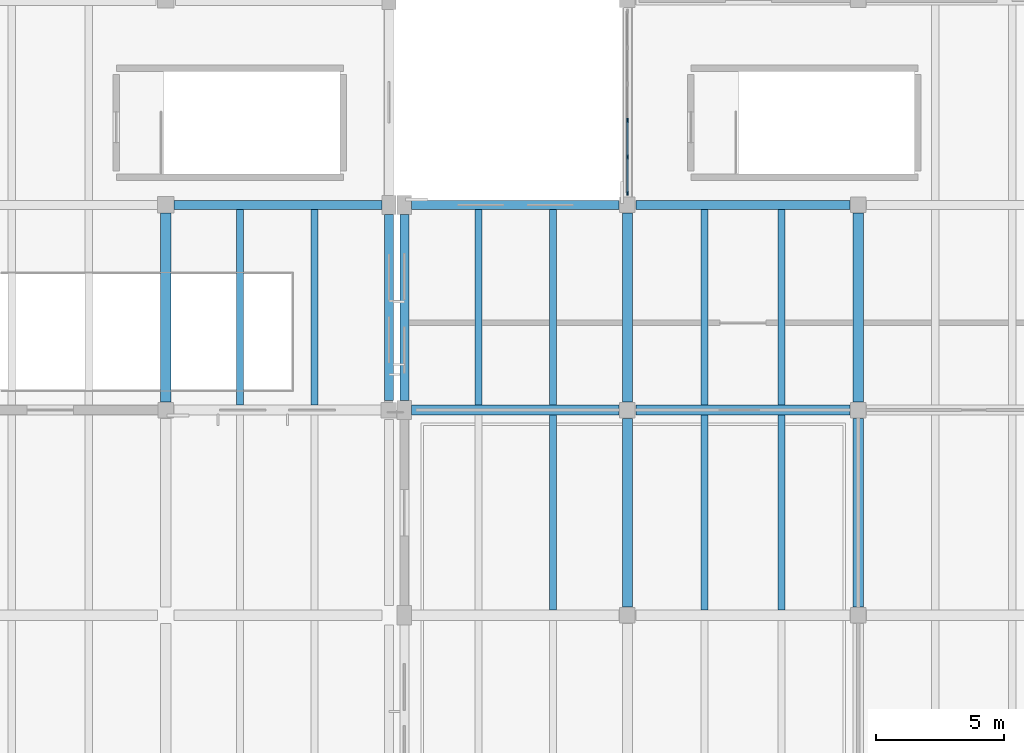
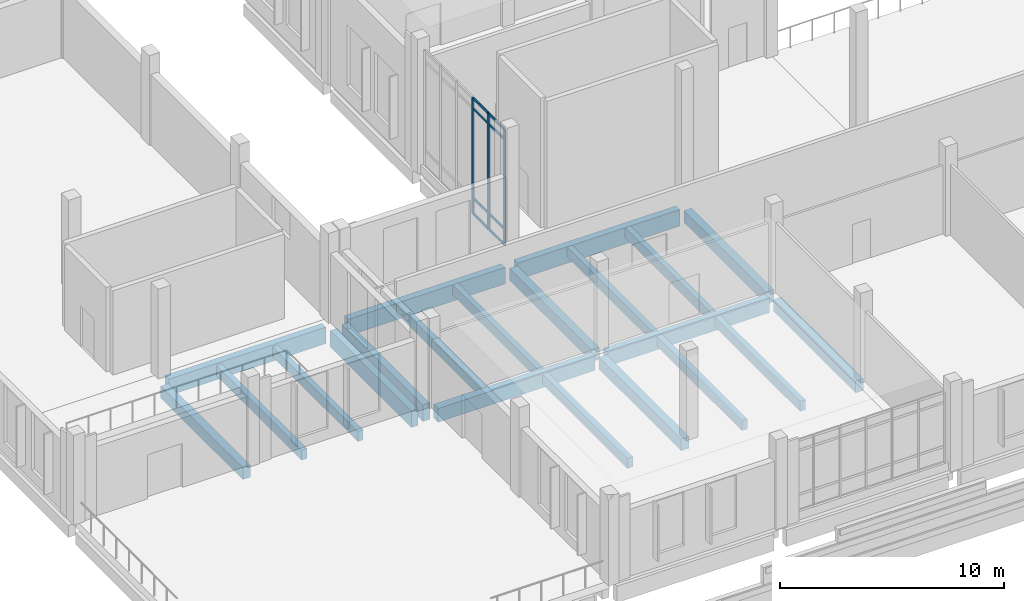
# One storey, part 14 of 110: 21 beams, 11 members, 1 element without a shape of its own.
"""IFC4 building model written with IfcOpenShell, lengths in metres."""

from ifc_helpers import new_model, si_unit, direction, frame, origin, origin_2d, place, context, subcontext, project, spatial, rectangle, extrude, material, layer, layer_set, material_profile, profile_set, type_object, element, aggregate, save


model = new_model("IFC4")

# Units and contexts
model_context = context("Model", 3, precision=1e-05, world=origin(), true_north=direction((0.0, 1.0)))
body_context = subcontext(model_context, "Body", "Model", "MODEL_VIEW")
ifc_project = project(units=[si_unit("LENGTHUNIT", "METRE"), si_unit("AREAUNIT", "SQUARE_METRE"), si_unit("VOLUMEUNIT", "CUBIC_METRE"), si_unit("PLANEANGLEUNIT", "RADIAN"), si_unit("MASSUNIT", "GRAM", prefix="KILO")], contexts=[model_context])

# Site, building, storey
site_placement = place(None, origin())
site = spatial("IfcSite", under=ifc_project, at=site_placement, CompositionType="ELEMENT")
building_placement = place(site_placement, origin())
building = spatial("IfcBuilding", under=site, at=building_placement, Name="Zacnel Wholesale Market", CompositionType="ELEMENT")
storey_placement = place(building_placement, frame((0.0, 0.0, 6.300048828125)))
storey = spatial("IfcBuildingStorey", under=building, at=storey_placement, Name="L02", CompositionType="ELEMENT", Elevation=6.300048828125)

# Beams
ifc_material_1 = material(Name="Precast concrete C45/55", Category="concrete")
ifc_material_profile_1 = material_profile(ifc_material_1, rectangle(XDim=0.280029296875, YDim=0.550048828125, at=origin_2d()), Name="DT RIB 280x550")
ifc_profile_set_1 = profile_set([ifc_material_profile_1], Name="Precast concrete C45/55")
beam_type_1 = type_object("IfcBeamType", Name="BM-DT550", PredefinedType="JOIST", material=ifc_profile_set_1)
for number, where, z_axis, x_axis, name in (
    (1, (78.10009765625, 8.199951171875, -0.574951171875), (0.0, 1.0, 0.0), (-1.0, 0.0, 0.0), "Precast secondary joist L02-0028"),
    (2, (84.0, 8.199951171875, -0.574951171875), (0.0, 1.0, 0.0), (-1.0, 0.0, 0.0), "Precast terrace joist L04-84.0"),
    (3, (87.0, 8.199951171875, -0.574951171875), (0.0, 1.0, 0.0), (-1.0, 0.0, 0.0), "Precast terrace joist L04-87.0"),
):
    element("IfcBeam", number, at=place(storey_placement, frame(where, z_axis=z_axis, x_axis=x_axis)), inside=storey, type_object=beam_type_1, Name=name, PredefinedType="JOIST", context=body_context, shape_type="SweptSolid", body=[
        extrude(rectangle(XDim=0.280029296875, YDim=0.550048828125, at=origin_2d()), origin(), (0.0, 0.0, 1.0), 7.60009765625),
    ])
for number, where, z_axis, x_axis, name in (
    (4, (65.89990234375, 16.199951171875, -0.695068359375), (0.0, 1.0, 0.0), (-1.0, 0.0, 0.0), "Precast secondary joist L02-0055"),
    (5, (68.800048828125, 16.199951171875, -0.695068359375), (0.0, 1.0, 0.0), (-1.0, 0.0, 0.0), "Precast secondary joist L02-0056"),
    (6, (75.199951171875, 16.199951171875, -0.574951171875), (0.0, 1.0, 0.0), (-1.0, 0.0, 0.0), "Precast secondary joist L02-0057"),
    (7, (78.10009765625, 16.199951171875, -0.574951171875), (0.0, 1.0, 0.0), (-1.0, 0.0, 0.0), "Precast secondary joist L02-0058"),
    (8, (84.0, 16.199951171875, -0.574951171875), (0.0, 1.0, 0.0), (-1.0, 0.0, 0.0), "Precast secondary joist L02-0059"),
    (9, (87.0, 16.199951171875, -0.574951171875), (0.0, 1.0, 0.0), (-1.0, 0.0, 0.0), "Precast secondary joist L02-0060"),
):
    element("IfcBeam", number, at=place(storey_placement, frame(where, z_axis=z_axis, x_axis=x_axis)), inside=storey, type_object=beam_type_1, Name=name, PredefinedType="JOIST", context=body_context, shape_type="SweptSolid", body=[
        extrude(rectangle(XDim=0.280029296875, YDim=0.550048828125, at=origin_2d()), origin(), (0.0, 0.0, 1.0), 7.625),
    ])
ifc_material_2 = material(Name="Precast concrete C45/55", Category="concrete")
ifc_material_profile_2 = material_profile(ifc_material_2, rectangle(XDim=0.39990234375, YDim=0.64990234375, at=origin_2d()), Name="PG 400x650")
ifc_profile_set_2 = profile_set([ifc_material_profile_2], Name="Precast concrete C45/55")
beam_type_2 = type_object("IfcBeamType", Name="BM-PG650", PredefinedType="BEAM", material=ifc_profile_set_2)
for number, where, z_axis, x_axis, name in (
    (10, (63.0, 16.324951171875, -0.7451171875), (0.0, 1.0, 0.0), (-1.0, 0.0, 0.0), "Precast girder Y-0389"),
    (11, (81.0, 8.324951171875, -0.625), (0.0, 1.0, 0.0), (-1.0, 0.0, 0.0), "Precast girder Y-0421"),
    (12, (81.0, 16.324951171875, -0.625), (0.0, 1.0, 0.0), (-1.0, 0.0, 0.0), "Precast girder Y-0422"),
    (13, (90.0, 8.324951171875, -0.625), (0.0, 1.0, 0.0), (-1.0, 0.0, 0.0), "Precast girder Y-0429"),
    (14, (90.0, 16.324951171875, -0.625), (0.0, 1.0, 0.0), (-1.0, 0.0, 0.0), "Precast girder Y-0430"),
):
    element("IfcBeam", number, at=place(storey_placement, frame(where, z_axis=z_axis, x_axis=x_axis)), inside=storey, type_object=beam_type_2, Name=name, PredefinedType="BEAM", context=body_context, shape_type="SweptSolid", body=[
        extrude(rectangle(XDim=0.39990234375, YDim=0.64990234375, at=origin_2d()), origin(), (0.0, 0.0, 1.0), 7.35009765625),
    ])
ifc_material_3 = material(Name="Precast concrete C45/55", Category="concrete")
ifc_material_profile_3 = material_profile(ifc_material_3, rectangle(XDim=0.39990234375, YDim=0.75, at=origin_2d()), Name="PG 400x750")
ifc_profile_set_3 = profile_set([ifc_material_profile_3], Name="Precast concrete C45/55")
beam_type_3 = type_object("IfcBeamType", Name="BM-PG750", PredefinedType="BEAM", material=ifc_profile_set_3)
beam_1_placement = place(storey_placement, frame((72.574951171875, 16.0, -0.675048828125), z_axis=(1.0, 0.0, 0.0), x_axis=(0.0, 1.0, 0.0)))
element("IfcBeam", 15, at=beam_1_placement, inside=storey, type_object=beam_type_3, Name="Precast girder X-0033", PredefinedType="BEAM", context=body_context, shape_type="SweptSolid", body=[
    extrude(rectangle(XDim=0.39990234375, YDim=0.75, at=origin_2d()), origin(), (0.0, 0.0, 1.0), 8.10009765625),
])
beam_2_placement = place(storey_placement, frame((81.324951171875, 16.0, -0.675048828125), z_axis=(1.0, 0.0, 0.0), x_axis=(0.0, 1.0, 0.0)))
element("IfcBeam", 16, at=beam_2_placement, inside=storey, type_object=beam_type_3, Name="Precast girder X-0034", PredefinedType="BEAM", context=body_context, shape_type="SweptSolid", body=[
    extrude(rectangle(XDim=0.39990234375, YDim=0.75, at=origin_2d()), origin(), (0.0, 0.0, 1.0), 8.35009765625),
])
ifc_material_4 = material(Name="Precast concrete C45/55", Category="concrete")
ifc_material_profile_4 = material_profile(ifc_material_4, rectangle(XDim=0.35009765625, YDim=0.89990234375, at=origin_2d()), Name="SP 350x900")
ifc_profile_set_4 = profile_set([ifc_material_profile_4], Name="Precast concrete C45/55")
beam_type_4 = type_object("IfcBeamType", Name="BM-SP900", PredefinedType="SPANDREL", material=ifc_profile_set_4)
for number, where, z_axis, x_axis, name in (
    (17, (63.324951171875, 24.0, -0.77001953125), (1.0, 0.0, 0.0), (0.0, 1.0, 0.0), "Precast girder X-0056"),
    (18, (72.574951171875, 24.0, -0.75), (1.0, 0.0, 0.0), (0.0, 1.0, 0.0), "Precast girder X-0057"),
):
    element("IfcBeam", number, at=place(storey_placement, frame(where, z_axis=z_axis, x_axis=x_axis)), inside=storey, type_object=beam_type_4, Name=name, PredefinedType="SPANDREL", context=body_context, shape_type="SweptSolid", body=[
        extrude(rectangle(XDim=0.35009765625, YDim=0.89990234375, at=origin_2d()), origin(), (0.0, 0.0, 1.0), 8.10009765625),
    ])
beam_3_placement = place(storey_placement, frame((81.324951171875, 24.0, -0.75), z_axis=(1.0, 0.0, 0.0), x_axis=(0.0, 1.0, 0.0)))
element("IfcBeam", 19, at=beam_3_placement, inside=storey, type_object=beam_type_4, Name="Precast girder X-0058", PredefinedType="SPANDREL", context=body_context, shape_type="SweptSolid", body=[
    extrude(rectangle(XDim=0.35009765625, YDim=0.89990234375, at=origin_2d()), origin(), (0.0, 0.0, 1.0), 8.35009765625),
])
for number, where, z_axis, x_axis, name in (
    (20, (71.699951171875, 16.375, -0.8701171875), (0.0, 1.0, 0.0), (-1.0, 0.0, 0.0), "Precast girder Y-0403"),
    (21, (72.300048828125, 16.375, -0.75), (0.0, 1.0, 0.0), (-1.0, 0.0, 0.0), "Precast girder Y-0418"),
):
    element("IfcBeam", number, at=place(storey_placement, frame(where, z_axis=z_axis, x_axis=x_axis)), inside=storey, type_object=beam_type_4, Name=name, PredefinedType="SPANDREL", context=body_context, shape_type="SweptSolid", body=[
        extrude(rectangle(XDim=0.35009765625, YDim=0.89990234375, at=origin_2d()), origin(), (0.0, 0.0, 1.0), 7.25),
    ])

# Curtain wall, members
ifc_material_5 = material(Name="Anodised aluminium", Category="aluminium")
ifc_layer = layer(ifc_material_5, 0.179931640625)
ifc_layer_set = layer_set([ifc_layer], Name="Anodised aluminium")
curtain_wall_type = type_object("IfcCurtainWallType", Name="CW-AUCT-5800", PredefinedType="NOTDEFINED", material=ifc_layer_set)
curtain_wall_placement = place(storey_placement, origin())
curtain_wall = element("IfcCurtainWall", 22, at=curtain_wall_placement, inside=storey, type_object=curtain_wall_type, Name="Curtain wall ENV-R2-CW-L02-013", PredefinedType="NOTDEFINED")
ifc_material_6 = material(Name="Anodised aluminium", Category="aluminium")
ifc_material_profile_5 = material_profile(ifc_material_6, rectangle(XDim=0.06494140625, YDim=0.1650390625, at=origin_2d()), Name="AW-MULLION 65x165")
ifc_profile_set_5 = profile_set([ifc_material_profile_5], Name="Anodised aluminium")
member_type_1 = type_object("IfcMemberType", Name="CWM-MUL-04", PredefinedType="MULLION", material=ifc_profile_set_5)
member_1_placement = place(storey_placement, frame((81.0, 24.449951171875, 0.449951171875), z_axis=(0.0, 0.0, 1.0), x_axis=(1.0, 0.0, 0.0)))
member_1 = element("IfcMember", 23, at=member_1_placement, type_object=member_type_1, Name="ENV-R2-CW-L02-013 mullion 01", PredefinedType="MULLION", context=body_context, shape_type="SweptSolid", body=[
    extrude(rectangle(XDim=0.06494140625, YDim=0.1650390625, at=origin_2d()), origin(), (0.0, 0.0, 1.0), 6.2900390625),
])
member_2_placement = place(storey_placement, frame((81.0, 25.8701171875, 0.449951171875), z_axis=(0.0, 0.0, 1.0), x_axis=(1.0, 0.0, 0.0)))
member_2 = element("IfcMember", 24, at=member_2_placement, type_object=member_type_1, Name="ENV-R2-CW-L02-013 mullion 02", PredefinedType="MULLION", context=body_context, shape_type="SweptSolid", body=[
    extrude(rectangle(XDim=0.06494140625, YDim=0.1650390625, at=origin_2d()), origin(), (0.0, 0.0, 1.0), 6.2900390625),
])
member_3_placement = place(storey_placement, frame((81.0, 27.2900390625, 0.449951171875), z_axis=(0.0, 0.0, 1.0), x_axis=(1.0, 0.0, 0.0)))
member_3 = element("IfcMember", 25, at=member_3_placement, type_object=member_type_1, Name="ENV-R2-CW-L02-013 mullion 03", PredefinedType="MULLION", context=body_context, shape_type="SweptSolid", body=[
    extrude(rectangle(XDim=0.06494140625, YDim=0.1650390625, at=origin_2d()), origin(), (0.0, 0.0, 1.0), 6.2900390625),
])
ifc_material_7 = material(Name="Anodised aluminium", Category="aluminium")
ifc_material_profile_6 = material_profile(ifc_material_7, rectangle(XDim=0.06494140625, YDim=0.125, at=origin_2d()), Name="AW-TRANSOM 65x125")
ifc_profile_set_6 = profile_set([ifc_material_profile_6], Name="Anodised aluminium")
member_type_2 = type_object("IfcMemberType", Name="CWM-TRN-04", PredefinedType="USERDEFINED", material=ifc_profile_set_6)
member_4_placement = place(storey_placement, frame((81.0, 24.485107421875, 0.449951171875), z_axis=(0.0, 1.0, 0.0), x_axis=(-1.0, 0.0, 0.0)))
member_4 = element("IfcMember", 26, at=member_4_placement, type_object=member_type_2, Name="ENV-R2-CW-L02-013 transom 1-1", ObjectType="TRANSOM", PredefinedType="USERDEFINED", context=body_context, shape_type="SweptSolid", body=[
    extrude(rectangle(XDim=0.06494140625, YDim=0.125, at=origin_2d()), origin(), (0.0, 0.0, 1.0), 1.349853515625),
])
member_5_placement = place(storey_placement, frame((81.0, 24.485107421875, 1.300048828125), z_axis=(0.0, 1.0, 0.0), x_axis=(-1.0, 0.0, 0.0)))
member_5 = element("IfcMember", 27, at=member_5_placement, type_object=member_type_2, Name="ENV-R2-CW-L02-013 transom 1-2", ObjectType="TRANSOM", PredefinedType="USERDEFINED", context=body_context, shape_type="SweptSolid", body=[
    extrude(rectangle(XDim=0.06494140625, YDim=0.125, at=origin_2d()), origin(), (0.0, 0.0, 1.0), 1.349853515625),
])
member_6_placement = place(storey_placement, frame((81.0, 24.485107421875, 6.18994140625), z_axis=(0.0, 1.0, 0.0), x_axis=(-1.0, 0.0, 0.0)))
member_6 = element("IfcMember", 28, at=member_6_placement, type_object=member_type_2, Name="ENV-R2-CW-L02-013 transom 1-3", ObjectType="TRANSOM", PredefinedType="USERDEFINED", context=body_context, shape_type="SweptSolid", body=[
    extrude(rectangle(XDim=0.06494140625, YDim=0.125, at=origin_2d()), origin(), (0.0, 0.0, 1.0), 1.349853515625),
])
member_7_placement = place(storey_placement, frame((81.0, 24.485107421875, 6.739990234375), z_axis=(0.0, 1.0, 0.0), x_axis=(-1.0, 0.0, 0.0)))
member_7 = element("IfcMember", 29, at=member_7_placement, type_object=member_type_2, Name="ENV-R2-CW-L02-013 transom 1-4", ObjectType="TRANSOM", PredefinedType="USERDEFINED", context=body_context, shape_type="SweptSolid", body=[
    extrude(rectangle(XDim=0.06494140625, YDim=0.125, at=origin_2d()), origin(), (0.0, 0.0, 1.0), 1.349853515625),
])
member_8_placement = place(storey_placement, frame((81.0, 25.905029296875, 0.449951171875), z_axis=(0.0, 1.0, 0.0), x_axis=(-1.0, 0.0, 0.0)))
member_8 = element("IfcMember", 30, at=member_8_placement, type_object=member_type_2, Name="ENV-R2-CW-L02-013 transom 2-1", ObjectType="TRANSOM", PredefinedType="USERDEFINED", context=body_context, shape_type="SweptSolid", body=[
    extrude(rectangle(XDim=0.06494140625, YDim=0.125, at=origin_2d()), origin(), (0.0, 0.0, 1.0), 1.349853515625),
])
member_9_placement = place(storey_placement, frame((81.0, 25.905029296875, 1.300048828125), z_axis=(0.0, 1.0, 0.0), x_axis=(-1.0, 0.0, 0.0)))
member_9 = element("IfcMember", 31, at=member_9_placement, type_object=member_type_2, Name="ENV-R2-CW-L02-013 transom 2-2", ObjectType="TRANSOM", PredefinedType="USERDEFINED", context=body_context, shape_type="SweptSolid", body=[
    extrude(rectangle(XDim=0.06494140625, YDim=0.125, at=origin_2d()), origin(), (0.0, 0.0, 1.0), 1.349853515625),
])
member_10_placement = place(storey_placement, frame((81.0, 25.905029296875, 6.18994140625), z_axis=(0.0, 1.0, 0.0), x_axis=(-1.0, 0.0, 0.0)))
member_10 = element("IfcMember", 32, at=member_10_placement, type_object=member_type_2, Name="ENV-R2-CW-L02-013 transom 2-3", ObjectType="TRANSOM", PredefinedType="USERDEFINED", context=body_context, shape_type="SweptSolid", body=[
    extrude(rectangle(XDim=0.06494140625, YDim=0.125, at=origin_2d()), origin(), (0.0, 0.0, 1.0), 1.349853515625),
])
member_11_placement = place(storey_placement, frame((81.0, 25.905029296875, 6.739990234375), z_axis=(0.0, 1.0, 0.0), x_axis=(-1.0, 0.0, 0.0)))
member_11 = element("IfcMember", 33, at=member_11_placement, type_object=member_type_2, Name="ENV-R2-CW-L02-013 transom 2-4", ObjectType="TRANSOM", PredefinedType="USERDEFINED", context=body_context, shape_type="SweptSolid", body=[
    extrude(rectangle(XDim=0.06494140625, YDim=0.125, at=origin_2d()), origin(), (0.0, 0.0, 1.0), 1.349853515625),
])
aggregate(curtain_wall, [member_1, member_2, member_3, member_4, member_5, member_6, member_7, member_8, member_9, member_10, member_11])

save(model, "model.ifc")
